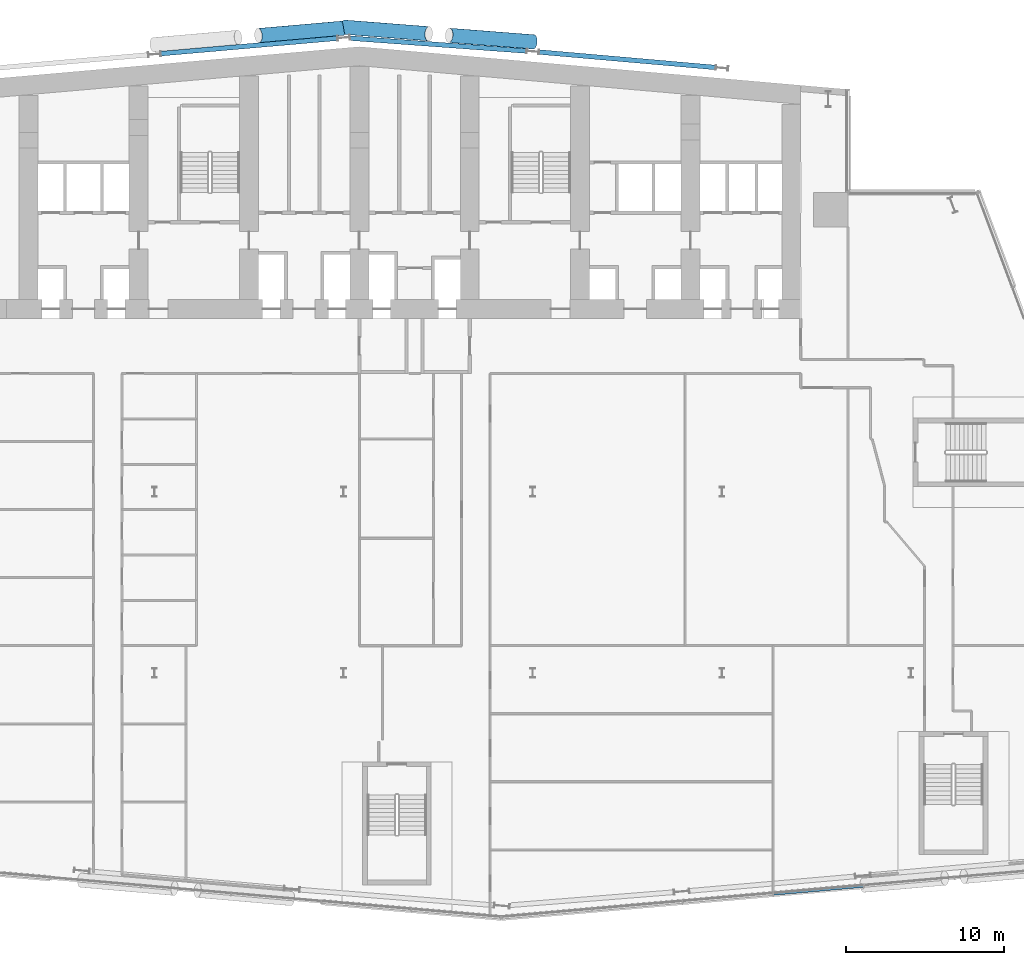
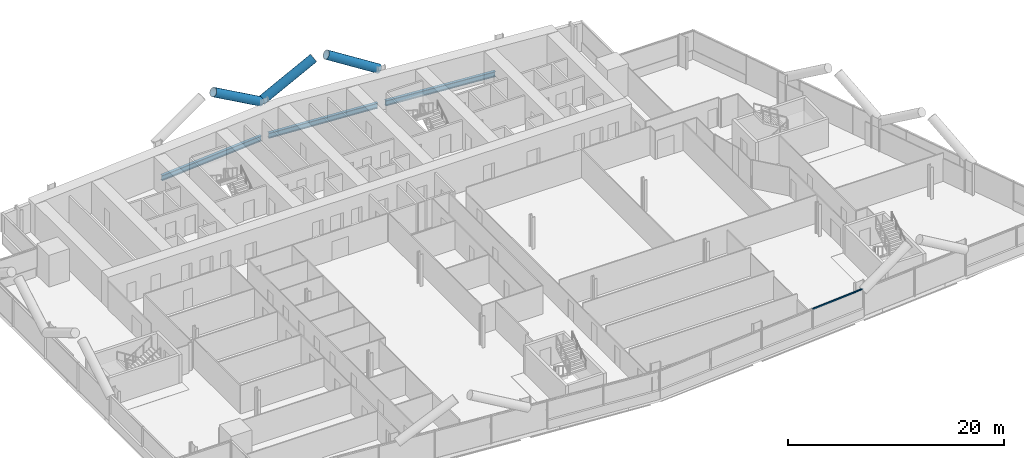
# One storey, part 8 of 27: 4 members, 3 beams, 1 element without a shape of its own.
"""IFC4 building model written with IfcOpenShell, lengths in metres."""

from ifc_helpers import new_model, si_unit, direction, frame, origin, origin_2d, place, context, subcontext, project, spatial, rectangle, hollow_circle, i_section, extrude, material, material_profile, profile_set, type_object, element, aggregate, save


model = new_model("IFC4")

# Units and contexts
model_context = context("Model", 3, precision=1e-05, world=origin(), true_north=direction((0.0, 1.0)))
body_context = subcontext(model_context, "Body", "Model", "MODEL_VIEW")
ifc_project = project(units=[si_unit("LENGTHUNIT", "METRE"), si_unit("AREAUNIT", "SQUARE_METRE"), si_unit("VOLUMEUNIT", "CUBIC_METRE"), si_unit("PLANEANGLEUNIT", "RADIAN"), si_unit("MASSUNIT", "GRAM", prefix="KILO")], contexts=[model_context])

# Site, building, storey
site_placement = place(None, origin())
site = spatial("IfcSite", under=ifc_project, at=site_placement, CompositionType="ELEMENT")
building_placement = place(site_placement, origin())
building = spatial("IfcBuilding", under=site, at=building_placement, Name="Wharfspan Tower", CompositionType="ELEMENT")
storey_placement = place(building_placement, frame((0.0, 0.0, 73.899902)))
storey = spatial("IfcBuildingStorey", under=building, at=storey_placement, Name="L15", CompositionType="ELEMENT", Elevation=73.899902)

# Beams
ifc_material_1 = material(Name="Steel S355J2", Category="steel")
ifc_material_profile_1 = material_profile(ifc_material_1, i_section(OverallWidth=0.300049, OverallDepth=0.600098, WebThickness=0.015381, FlangeThickness=0.030029, FilletRadius=0.0271, at=origin_2d()))
ifc_profile_set_1 = profile_set([ifc_material_profile_1], Name="Steel S355J2")
beam_type = type_object("IfcBeamType", Name="Edge beam HEB 600", PredefinedType="SPANDREL", material=ifc_profile_set_1)
for number, where, z_axis, x_axis, name in (
    (1, (59.598633, 49.919922, -0.699951), (-0.996194, 0.087165, 0.0), (-0.087165, -0.996194, 0.0), "Edge beam N2 L15 R.5 to R.4"),
    (2, (35.598633, 51.774414, -0.699951), (-0.996196, -0.087143, 0.0), (0.087143, -0.996196, 0.0), "Edge beam N1 L15 R.3 to R.2"),
):
    element("IfcBeam", number, at=place(storey_placement, frame(where, z_axis=z_axis, x_axis=x_axis)), inside=storey, type_object=beam_type, Name=name, PredefinedType="SPANDREL", context=body_context, shape_type="SweptSolid", body=[
        extrude(i_section(OverallWidth=0.300049, OverallDepth=0.600098, WebThickness=0.015381, FlangeThickness=0.030029, FilletRadius=0.0271, at=origin_2d()), origin(), (0.0, 0.0, 1.0), 11.23999),
    ])
beam_placement = place(storey_placement, frame((36.407227, 51.779785, -0.699951), z_axis=(0.997354, -0.072694, 0.0), x_axis=(0.072694, 0.997354, 0.0)))
element("IfcBeam", 3, at=beam_placement, inside=storey, type_object=beam_type, Name="Edge beam L15 R.3 to R.4", PredefinedType="SPANDREL", context=body_context, shape_type="SweptSolid", body=[
    extrude(i_section(OverallWidth=0.300049, OverallDepth=0.600098, WebThickness=0.015381, FlangeThickness=0.030029, FilletRadius=0.0271, at=origin_2d()), origin(), (0.0, 0.0, 1.0), 11.220703),
])

# Members
ifc_material_2 = material(Name="Steel S460NH", Category="steel")
ifc_material_profile_2 = material_profile(ifc_material_2, hollow_circle(Radius=0.457031, WallThickness=0.040039, at=origin_2d()))
ifc_profile_set_2 = profile_set([ifc_material_profile_2], Name="Steel S460NH")
member_type_1 = type_object("IfcMemberType", Name="Mega brace CHS 914x40", PredefinedType="BRACE", material=ifc_profile_set_2)
member_1_placement = place(storey_placement, frame((35.947266, 52.412842, 2.900146), z_axis=(-0.855094, -0.074809, 0.513048), x_axis=(0.087154, -0.996195, 1e-06)))
element("IfcMember", 4, at=member_1_placement, inside=storey, type_object=member_type_1, Name="Mega brace N7 L16 part 3", PredefinedType="BRACE", context=body_context, shape_type="SweptSolid", body=[
    extrude(hollow_circle(Radius=0.457031, WallThickness=0.040039, at=origin_2d()), origin(), (0.0, 0.0, 1.0), 6.256104),
])
for number, where, z_axis, x_axis, name in (
    (5, (36.048584, 52.476318, 2.900146), (0.855527, -0.066474, 0.513473), (0.077466, 0.996995, 0.0), "Mega brace N8 L16 part 1"),
    (6, (48.044434, 51.544434, 2.900146), (-0.855527, 0.066474, 0.513473), (-0.077466, -0.996995, 0.0), "Mega brace N8 L16 part 3"),
):
    element("IfcMember", number, at=place(storey_placement, frame(where, z_axis=z_axis, x_axis=x_axis)), inside=storey, type_object=member_type_1, Name=name, PredefinedType="BRACE", context=body_context, shape_type="SweptSolid", body=[
        extrude(hollow_circle(Radius=0.457031, WallThickness=0.040039, at=origin_2d()), origin(), (0.0, 0.0, 1.0), 6.250977),
    ])

# Curtain wall, member
ifc_material_3 = material(Name="Aluminium 6063-T6", Category="aluminium")
curtain_wall_type = type_object("IfcCurtainWallType", Name="CURTAIN WALL FACETED FRONT", PredefinedType="NOTDEFINED", material=ifc_material_3)
curtain_wall_placement = place(storey_placement, origin())
curtain_wall = element("IfcCurtainWall", 7, at=curtain_wall_placement, inside=storey, type_object=curtain_wall_type, Name="Curtain wall S2", PredefinedType="NOTDEFINED")
ifc_material_profile_3 = material_profile(ifc_material_3, rectangle(XDim=0.159912, YDim=0.080078, at=origin_2d()))
ifc_profile_set_3 = profile_set([ifc_material_profile_3], Name="Aluminium 6063-T6")
member_type_2 = type_object("IfcMemberType", Name="TRANSOM FACETED FRONT 80x160", PredefinedType="USERDEFINED", material=ifc_profile_set_3)
member_2_placement = place(storey_placement, frame((63.279785, -2.512695, 3.160156), z_axis=(0.996195, 0.087148, 0.0), x_axis=(-0.087148, 0.996195, 0.0)))
member_2 = element("IfcMember", 8, at=member_2_placement, type_object=member_type_2, Name="Curtain wall S2 transom 4", ObjectType="TRANSOM", PredefinedType="USERDEFINED", context=body_context, shape_type="SweptSolid", body=[
    extrude(rectangle(XDim=0.159912, YDim=0.080078, at=origin_2d()), origin(), (0.0, 0.0, 1.0), 5.712158),
])
aggregate(curtain_wall, [member_2])

save(model, "model.ifc")
